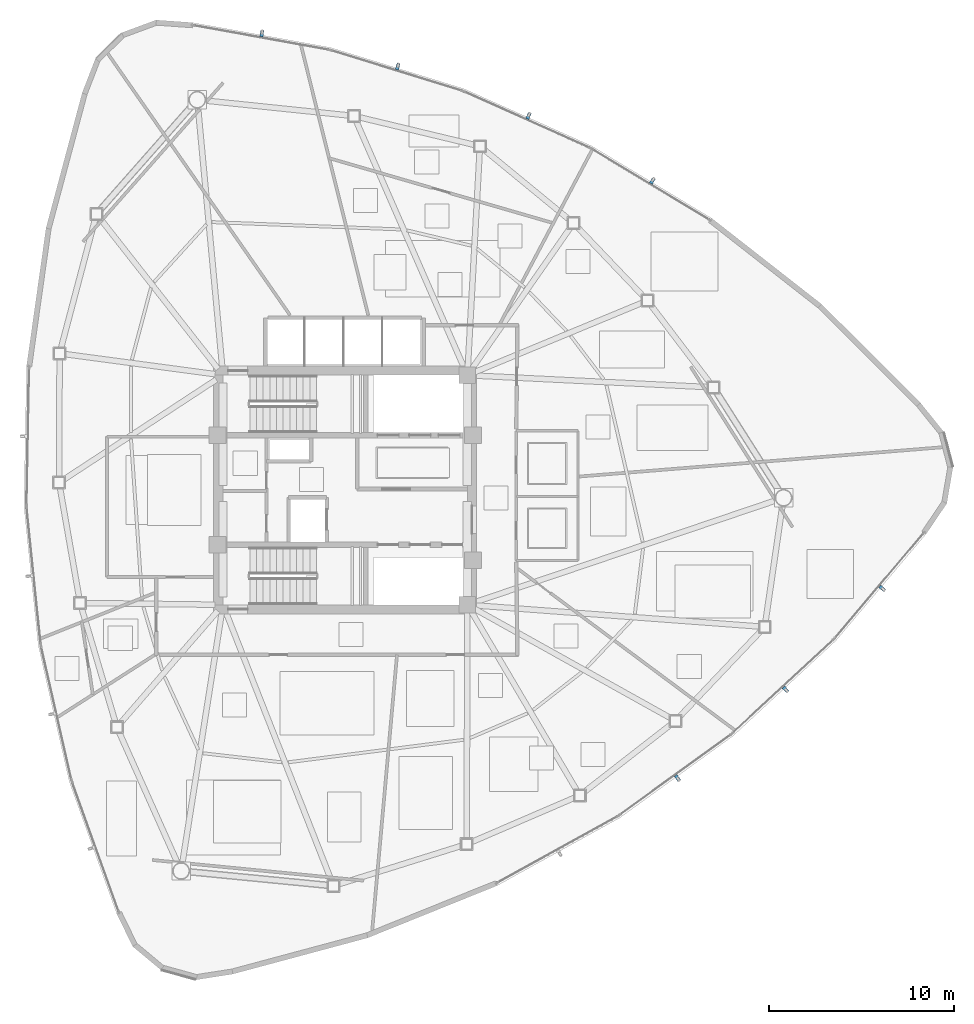
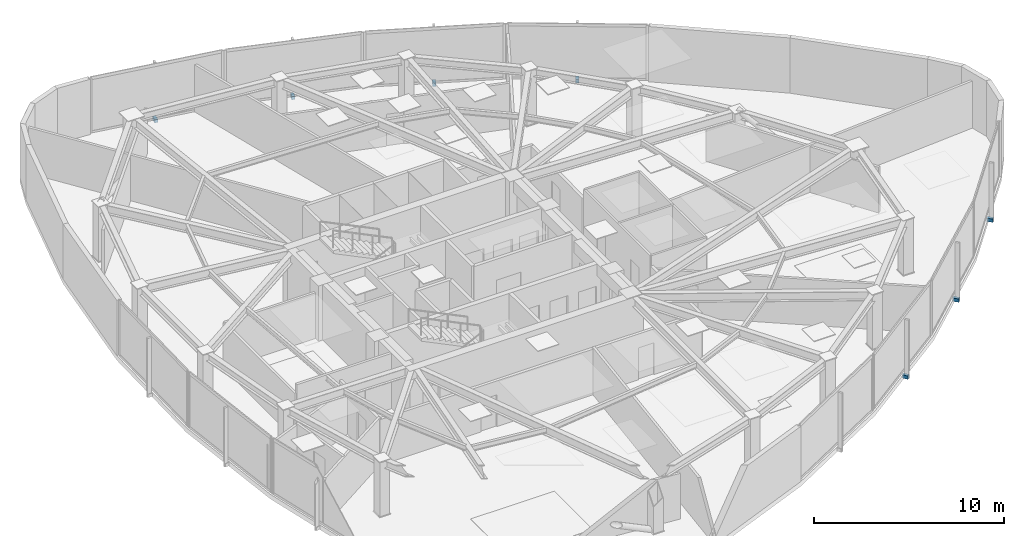
# One storey, part 13 of 17: 7 discrete accessories.
"""IFC4 building model written with IfcOpenShell, lengths in metres."""

from ifc_helpers import new_model, si_unit, direction, frame, origin, origin_2d, place, context, subcontext, project, spatial, rectangle, extrude, source, transform, mapped, material, type_object, type_shapes, element, save


model = new_model("IFC4")

# Units and contexts
model_context = context("Model", 3, precision=1e-05, world=origin(), true_north=direction((0.0, 1.0)))
body_context = subcontext(model_context, "Body", "Model", "MODEL_VIEW")
ifc_project = project(units=[si_unit("LENGTHUNIT", "METRE"), si_unit("AREAUNIT", "SQUARE_METRE"), si_unit("VOLUMEUNIT", "CUBIC_METRE"), si_unit("PLANEANGLEUNIT", "RADIAN"), si_unit("MASSUNIT", "GRAM", prefix="KILO")], contexts=[model_context])

# Site, building, storey
site_placement = place(None, origin())
site = spatial("IfcSite", under=ifc_project, at=site_placement, CompositionType="ELEMENT")
building_placement = place(site_placement, origin())
building = spatial("IfcBuilding", under=site, at=building_placement, Name="Tavelor Broadcast Tower", CompositionType="ELEMENT")
storey_placement = place(building_placement, frame((0.0, 0.0, 169.5)))
storey = spatial("IfcBuildingStorey", under=building, at=storey_placement, Name="L40", CompositionType="ELEMENT", Elevation=169.5)

# Discrete accessories
ifc_material = material(Name="Steel S355", Category="steel")
discrete_accessory_type = type_object("IfcDiscreteAccessoryType", Name="Stainless Baguette Outrigger Support Bracket 260x180", PredefinedType="BRACKET", material=ifc_material)
shared_shape = source(origin(), body_context, "Body", "SweptSolid", [
    extrude(rectangle(XDim=0.179931640625, YDim=0.340087890625, at=origin_2d()), origin(), (0.0, 0.0, 1.0), 0.216064453125),
])
type_shapes(discrete_accessory_type, [shared_shape])
for number, where, z_axis, x_axis, name in (
    (1, (67.94580078125, 29.44091796875, -0.2578125), (0.0, 0.0, 1.0), (0.810246273656, 0.586089563144, 0.0), "L40 Baguette Outrigger Bracket 414"),
    (2, (73.784912109375, 34.228759765625, -0.2578125), (0.0, 0.0, 1.0), (0.733374009306, 0.679825391166, 0.0), "L40 Baguette Outrigger Bracket 415"),
    (3, (79.001708984375, 39.68798828125, -0.2578125), (0.0, 0.0, 1.0), (0.645724263505, 0.763570674869, 0.0), "L40 Baguette Outrigger Bracket 416"),
    (4, (66.593505859375, 61.705078125, -0.2578125), (0.0, 0.0, 1.0), (-0.856537423431, 0.516084917685, 0.0), "L40 Baguette Outrigger Bracket 417"),
    (5, (59.901611328125, 65.203369140625, -0.2578125), (0.0, 0.0, 1.0), (-0.912620250784, 0.408808363244, 0.0), "L40 Baguette Outrigger Bracket 418"),
    (6, (52.835693359375, 67.8662109375, -0.2578125), (0.0, 0.0, 1.0), (-0.955433063541, 0.295207826951, 0.0), "L40 Baguette Outrigger Bracket 419"),
    (7, (45.49951171875, 69.654541015625, -0.2578125), (0.0, 0.0, 1.0), (-0.984133733774, 0.177428278601, 0.0), "L40 Baguette Outrigger Bracket 420"),
):
    element("IfcDiscreteAccessory", number, at=place(storey_placement, frame(where, z_axis=z_axis, x_axis=x_axis)), inside=storey, type_object=discrete_accessory_type, Name=name, PredefinedType="BRACKET", context=body_context, shape_type="MappedRepresentation", body=[
        mapped(shared_shape, transform((0.0, 0.0, 0.0), scale=1.0)),
    ])

save(model, "model.ifc")
